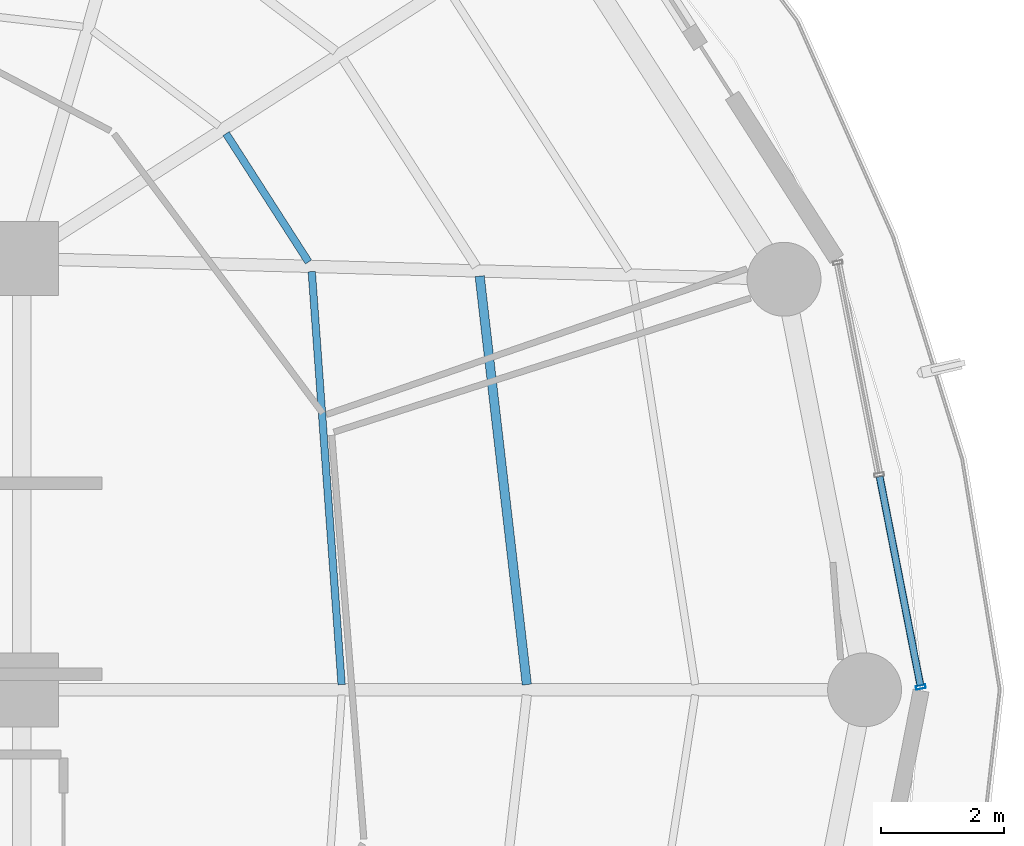
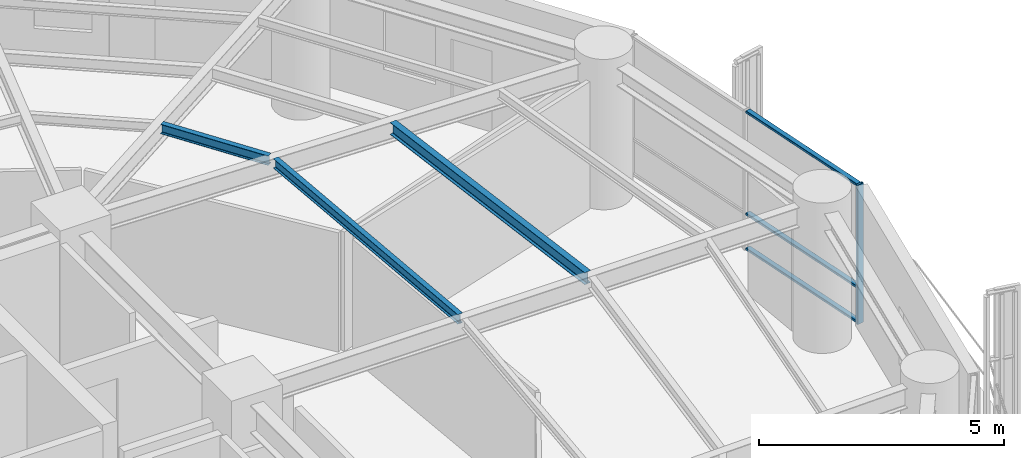
# One storey, part 13 of 27: 4 members, 3 beams, 1 element without a shape of its own.
"""IFC4 building model written with IfcOpenShell, lengths in metres."""

from ifc_helpers import new_model, si_unit, direction, frame, origin, origin_2d, place, context, subcontext, project, spatial, hollow_rectangle, i_section, extrude, material, layer, layer_set, material_profile, profile_set, type_object, element, aggregate, save


model = new_model("IFC4")

# Units and contexts
model_context = context("Model", 3, precision=1e-05, world=origin(), true_north=direction((0.0, 1.0)))
body_context = subcontext(model_context, "Body", "Model", "MODEL_VIEW")
ifc_project = project(units=[si_unit("LENGTHUNIT", "METRE"), si_unit("AREAUNIT", "SQUARE_METRE"), si_unit("VOLUMEUNIT", "CUBIC_METRE"), si_unit("PLANEANGLEUNIT", "RADIAN"), si_unit("MASSUNIT", "GRAM", prefix="KILO")], contexts=[model_context])

# Site, building, storey
site_placement = place(None, origin())
site = spatial("IfcSite", under=ifc_project, at=site_placement, CompositionType="ELEMENT")
building_placement = place(site_placement, origin())
building = spatial("IfcBuilding", under=site, at=building_placement, Name="Kelanora Arch Commons", CompositionType="ELEMENT")
storey_placement = place(building_placement, frame((0.0, 0.0, 169.35009765625)))
storey = spatial("IfcBuildingStorey", under=building, at=storey_placement, Name="L43", CompositionType="ELEMENT", Elevation=169.35009765625)

# Beams
ifc_material_1 = material(Name="Steel S355", Category="steel")
ifc_material_profile_1 = material_profile(ifc_material_1, i_section(OverallWidth=0.14990234375, OverallDepth=0.300048828125, WebThickness=0.007080078125, FlangeThickness=0.0107421875, FilletRadius=0.014892578125, at=origin_2d()), Name="IPE300")
ifc_profile_set_1 = profile_set([ifc_material_profile_1], Name="Steel S355")
beam_type_1 = type_object("IfcBeamType", Name="BM-JST-01", PredefinedType="JOIST", material=ifc_profile_set_1)
beam_1_placement = place(storey_placement, frame((90.1982421875, 58.08447265625, 3.33984375), z_axis=(-0.114667159005, 0.9934039675, 0.0), x_axis=(-0.9934039675, -0.114667159005, 0.0)))
element("IfcBeam", 1, at=beam_1_placement, inside=storey, type_object=beam_type_1, Name="Secondary Chord Joist BJB-00 L43", PredefinedType="JOIST", context=body_context, shape_type="SweptSolid", body=[
    extrude(i_section(OverallWidth=0.14990234375, OverallDepth=0.300048828125, WebThickness=0.007080078125, FlangeThickness=0.0107421875, FilletRadius=0.014892578125, at=origin_2d()), origin(), (0.0, 0.0, 1.0), 6.672607421875),
])
ifc_material_profile_2 = material_profile(ifc_material_1, i_section(OverallWidth=0.1201171875, OverallDepth=0.239990234375, WebThickness=0.006103515625, FlangeThickness=0.009765625, FilletRadius=0.014892578125, at=origin_2d()), Name="IPE240")
ifc_profile_set_2 = profile_set([ifc_material_profile_2], Name="Steel S355")
beam_type_2 = type_object("IfcBeamType", Name="BM-JST-02", PredefinedType="JOIST", material=ifc_profile_set_2)
beam_2_placement = place(storey_placement, frame((87.1923828125, 58.084716796875, 3.369873046875), z_axis=(-0.072117123738, 0.997396170267, 0.0), x_axis=(-0.997396170267, -0.072117123738, 0.0)))
element("IfcBeam", 2, at=beam_2_placement, inside=storey, type_object=beam_type_2, Name="Secondary Chord Joist BJA-00 L43", PredefinedType="JOIST", context=body_context, shape_type="SweptSolid", body=[
    extrude(i_section(OverallWidth=0.1201171875, OverallDepth=0.239990234375, WebThickness=0.006103515625, FlangeThickness=0.009765625, FilletRadius=0.014892578125, at=origin_2d()), origin(), (0.0, 0.0, 1.0), 6.719970703125),
])
beam_3_placement = place(storey_placement, frame((86.655517578125, 64.943359375, 3.369873046875), z_axis=(-0.540583174025, 0.841290575224, 0.0), x_axis=(-0.841290575224, -0.540583174025, 0.0)))
element("IfcBeam", 3, at=beam_3_placement, inside=storey, type_object=beam_type_2, Name="Secondary Chord Joist BJA-02 L43", PredefinedType="JOIST", context=body_context, shape_type="SweptSolid", body=[
    extrude(i_section(OverallWidth=0.1201171875, OverallDepth=0.239990234375, WebThickness=0.006103515625, FlangeThickness=0.009765625, FilletRadius=0.014892578125, at=origin_2d()), origin(), (0.0, 0.0, 1.0), 2.476318359375),
])

# Curtain wall, members
ifc_material_2 = material(Name="Terracotta ceramic-fritted low-E glass and aluminium", Category="masonry")
ifc_layer = layer(ifc_material_2, 0.175048828125)
ifc_layer_set = layer_set([ifc_layer], Name="Terracotta ceramic-fritted low-E glass and aluminium")
curtain_wall_type = type_object("IfcCurtainWallType", Name="CW-SYS-02", PredefinedType="NOTDEFINED", material=ifc_layer_set)
curtain_wall_placement = place(storey_placement, origin())
curtain_wall = element("IfcCurtainWall", 4, at=curtain_wall_placement, inside=storey, type_object=curtain_wall_type, Name="Unitised Curtain Wall L43-B00", PredefinedType="NOTDEFINED")
ifc_material_3 = material(Name="Powder-coated aluminium terracotta", Category="masonry")
ifc_material_profile_3 = material_profile(ifc_material_3, hollow_rectangle(XDim=0.159912109375, YDim=0.06005859375, WallThickness=0.0048828125, InnerFilletRadius=0.0048828125, OuterFilletRadius=0.010009765625, at=origin_2d()), Name="CWM160x60")
ifc_profile_set_3 = profile_set([ifc_material_profile_3], Name="Powder-coated aluminium terracotta")
member_type_1 = type_object("IfcMemberType", Name="CWM-STD", PredefinedType="MULLION", material=ifc_profile_set_3)
member_1_placement = place(storey_placement, frame((96.59130859375, 58.044189453125, 0.0), z_axis=(0.0, 0.0, 1.0), x_axis=(-0.981452557718, -0.191705182375, 0.0)))
member_1 = element("IfcMember", 5, at=member_1_placement, type_object=member_type_1, Name="CW-02 mullion 1", PredefinedType="MULLION", context=body_context, shape_type="SweptSolid", body=[
    extrude(hollow_rectangle(XDim=0.159912109375, YDim=0.06005859375, WallThickness=0.0048828125, InnerFilletRadius=0.0048828125, OuterFilletRadius=0.010009765625, at=origin_2d()), origin(), (0.0, 0.0, 1.0), 3.474853515625),
])
ifc_material_profile_4 = material_profile(ifc_material_3, hollow_rectangle(XDim=0.1201171875, YDim=0.06005859375, WallThickness=0.0048828125, InnerFilletRadius=0.0048828125, OuterFilletRadius=0.010009765625, at=origin_2d()), Name="CWT120x60")
ifc_profile_set_4 = profile_set([ifc_material_profile_4], Name="Powder-coated aluminium terracotta")
member_type_2 = type_object("IfcMemberType", Name="CWT-STD", PredefinedType="USERDEFINED", material=ifc_profile_set_4)
member_2_placement = place(storey_placement, frame((96.585693359375, 58.073486328125, 0.02978515625), z_axis=(-0.191718206447, 0.981450013662, 0.0), x_axis=(-0.981450013662, -0.191718206447, 0.0)))
member_2 = element("IfcMember", 6, at=member_2_placement, type_object=member_type_2, Name="CW-02 transom 1.1", ObjectType="TRANSOM", PredefinedType="USERDEFINED", context=body_context, shape_type="SweptSolid", body=[
    extrude(hollow_rectangle(XDim=0.1201171875, YDim=0.06005859375, WallThickness=0.0048828125, InnerFilletRadius=0.0048828125, OuterFilletRadius=0.010009765625, at=origin_2d()), origin(), (0.0, 0.0, 1.0), 3.44970703125),
])
member_3_placement = place(storey_placement, frame((96.585693359375, 58.073486328125, 0.89990234375), z_axis=(-0.191718206447, 0.981450013662, 0.0), x_axis=(-0.981450013662, -0.191718206447, 0.0)))
member_3 = element("IfcMember", 7, at=member_3_placement, type_object=member_type_2, Name="CW-02 transom 1.2", ObjectType="TRANSOM", PredefinedType="USERDEFINED", context=body_context, shape_type="SweptSolid", body=[
    extrude(hollow_rectangle(XDim=0.1201171875, YDim=0.06005859375, WallThickness=0.0048828125, InnerFilletRadius=0.0048828125, OuterFilletRadius=0.010009765625, at=origin_2d()), origin(), (0.0, 0.0, 1.0), 3.44970703125),
])
member_4_placement = place(storey_placement, frame((96.585693359375, 58.073486328125, 3.44482421875), z_axis=(-0.191718206447, 0.981450013662, 0.0), x_axis=(-0.981450013662, -0.191718206447, 0.0)))
member_4 = element("IfcMember", 8, at=member_4_placement, type_object=member_type_2, Name="CW-02 transom 1.3", ObjectType="TRANSOM", PredefinedType="USERDEFINED", context=body_context, shape_type="SweptSolid", body=[
    extrude(hollow_rectangle(XDim=0.1201171875, YDim=0.06005859375, WallThickness=0.0048828125, InnerFilletRadius=0.0048828125, OuterFilletRadius=0.010009765625, at=origin_2d()), origin(), (0.0, 0.0, 1.0), 3.44970703125),
])
aggregate(curtain_wall, [member_1, member_2, member_3, member_4])

save(model, "model.ifc")
